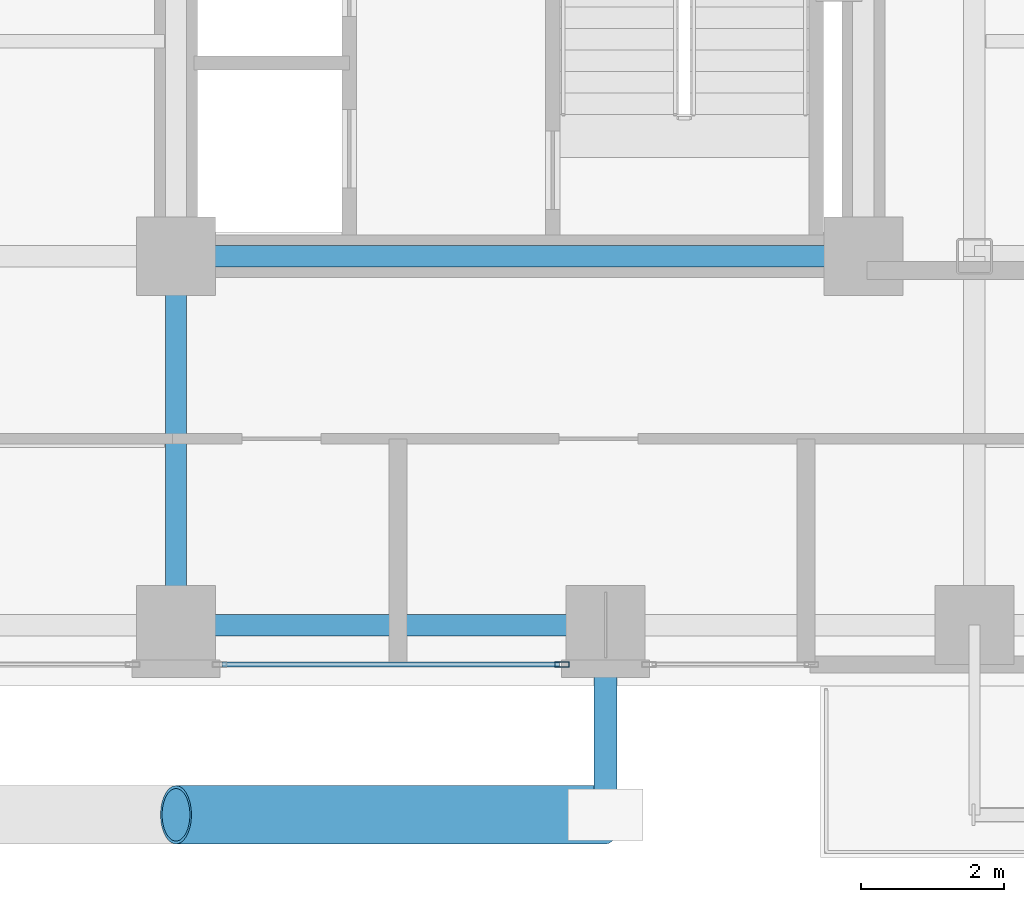
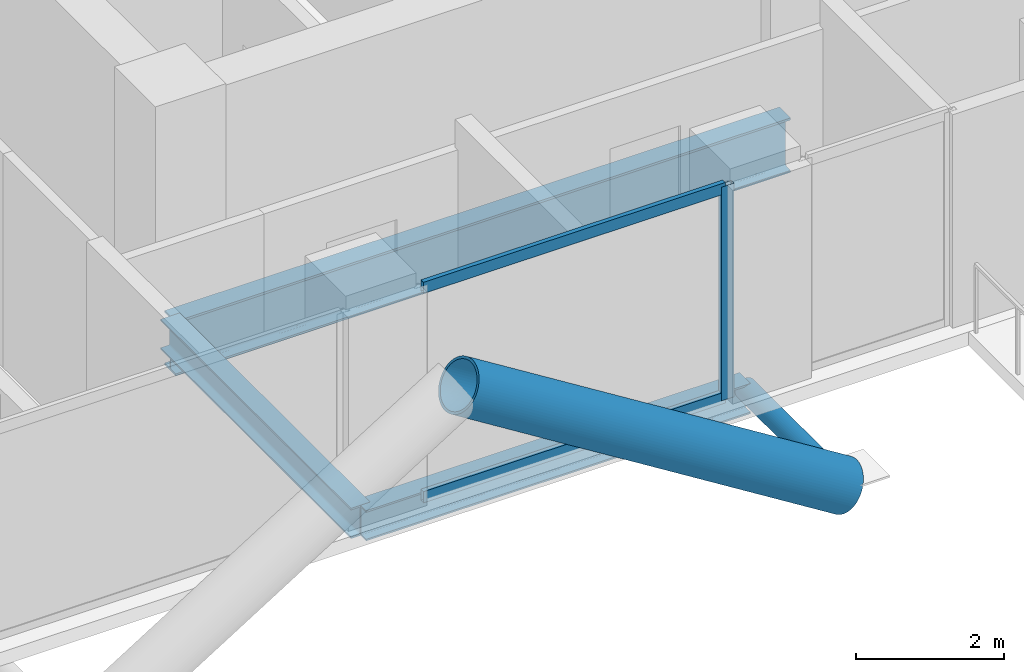
# One storey, part 5 of 28: 5 members, 3 beams, 1 element without a shape of its own.
"""IFC4 building model written with IfcOpenShell, lengths in metres."""

from ifc_helpers import new_model, si_unit, direction, frame, origin, origin_2d, place, context, subcontext, project, spatial, hollow_rectangle, hollow_circle, i_section, extrude, material, layer, layer_set, material_profile, profile_set, type_object, element, aggregate, save


model = new_model("IFC4")

# Units and contexts
model_context = context("Model", 3, precision=1e-05, world=origin(), true_north=direction((0.0, 1.0)))
body_context = subcontext(model_context, "Body", "Model", "MODEL_VIEW")
ifc_project = project(units=[si_unit("LENGTHUNIT", "METRE"), si_unit("AREAUNIT", "SQUARE_METRE"), si_unit("VOLUMEUNIT", "CUBIC_METRE"), si_unit("PLANEANGLEUNIT", "RADIAN"), si_unit("MASSUNIT", "GRAM", prefix="KILO"), si_unit("THERMODYNAMICTEMPERATUREUNIT", "KELVIN"), si_unit("POWERUNIT", "WATT")], contexts=[model_context])

# Site, building, storey
site_placement = place(None, origin())
site = spatial("IfcSite", under=ifc_project, at=site_placement, CompositionType="ELEMENT")
building_placement = place(site_placement, origin())
building = spatial("IfcBuilding", under=site, at=building_placement, Name="Svarakhadi Broadcast Tower", CompositionType="ELEMENT")
storey_placement = place(building_placement, frame((0.0, 0.0, 134.39990234375)))
storey = spatial("IfcBuildingStorey", under=building, at=storey_placement, Name="L32", CompositionType="ELEMENT", Elevation=134.39990234375)

# Curtain wall, members
ifc_material_1 = material(Name="Anodised Bronze Aluminium AA 6063-T6", Category="aluminium")
ifc_layer = layer(ifc_material_1, 0.199951171875)
ifc_layer_set = layer_set([ifc_layer], Name="Anodised Bronze Aluminium AA 6063-T6")
curtain_wall_type = type_object("IfcCurtainWallType", Name="CW_Sys_03", PredefinedType="NOTDEFINED", material=ifc_layer_set)
curtain_wall_placement = place(storey_placement, origin())
curtain_wall = element("IfcCurtainWall", 1, at=curtain_wall_placement, inside=storey, type_object=curtain_wall_type, Name="L32 South Curtain Wall 17 Bay 2", PredefinedType="NOTDEFINED")
ifc_material_profile_1 = material_profile(ifc_material_1, hollow_rectangle(XDim=0.074951171875, YDim=0.199951171875, WallThickness=0.005615234375, at=origin_2d()), Name="ALU MULLION 200x75x6")
ifc_profile_set_1 = profile_set([ifc_material_profile_1], Name="Anodised Bronze Aluminium AA 6063-T6")
member_type_1 = type_object("IfcMemberType", Name="CW_Sys_03_Mul", PredefinedType="MULLION", material=ifc_profile_set_1)
member_1_placement = place(storey_placement, frame((29.392578125, 0.300048828125, 0.0), z_axis=(0.0, 0.0, 1.0), x_axis=(0.0, -1.0, 0.0)))
member_1 = element("IfcMember", 2, at=member_1_placement, type_object=member_type_1, Name="CW-03 mullion 1", PredefinedType="MULLION", context=body_context, shape_type="SweptSolid", body=[
    extrude(hollow_rectangle(XDim=0.074951171875, YDim=0.199951171875, WallThickness=0.005615234375, at=origin_2d()), origin(), (0.0, 0.0, 1.0), 3.525146484375),
])
ifc_material_profile_2 = material_profile(ifc_material_1, hollow_rectangle(XDim=0.070068359375, YDim=0.18505859375, WallThickness=0.0048828125, at=origin_2d()), Name="ALU TRANSOM 185x70x5")
ifc_profile_set_2 = profile_set([ifc_material_profile_2], Name="Anodised Bronze Aluminium AA 6063-T6")
member_type_2 = type_object("IfcMemberType", Name="CW_Sys_03_Trn", PredefinedType="USERDEFINED", material=ifc_profile_set_2)
member_2_placement = place(storey_placement, frame((29.35498046875, 0.300048828125, 0.03515625), z_axis=(-1.0, 0.0, 0.0), x_axis=(0.0, -1.0, 0.0)))
member_2 = element("IfcMember", 3, at=member_2_placement, type_object=member_type_2, Name="CW-03 transom 1.1", ObjectType="TRANSOM", PredefinedType="USERDEFINED", context=body_context, shape_type="SweptSolid", body=[
    extrude(hollow_rectangle(XDim=0.070068359375, YDim=0.18505859375, WallThickness=0.0048828125, at=origin_2d()), origin(), (0.0, 0.0, 1.0), 4.7099609375),
])
member_3_placement = place(storey_placement, frame((29.35498046875, 0.300048828125, 3.489990234375), z_axis=(-1.0, 0.0, 0.0), x_axis=(0.0, -1.0, 0.0)))
member_3 = element("IfcMember", 4, at=member_3_placement, type_object=member_type_2, Name="CW-03 transom 1.2", ObjectType="TRANSOM", PredefinedType="USERDEFINED", context=body_context, shape_type="SweptSolid", body=[
    extrude(hollow_rectangle(XDim=0.070068359375, YDim=0.18505859375, WallThickness=0.0048828125, at=origin_2d()), origin(), (0.0, 0.0, 1.0), 4.7099609375),
])
aggregate(curtain_wall, [member_1, member_2, member_3])

# Members
ifc_material_2 = material(Name="Steel S460ML (IS 2062 E450BR)", Category="steel")
ifc_material_profile_3 = material_profile(ifc_material_2, hollow_circle(Radius=0.406494140625, WallThickness=0.0400390625, at=origin_2d()), Name="CHS 813x40")
ifc_profile_set_3 = profile_set([ifc_material_profile_3], Name="Steel S460ML (IS 2062 E450BR)")
member_type_3 = type_object("IfcMemberType", Name="Exo_Brace_CHS813", PredefinedType="BRACE", material=ifc_profile_set_3)
member_4_placement = place(storey_placement, frame((30.0, -1.800048828125, -0.386962890625), z_axis=(-0.847998304005, 0.0, 0.529998940003), x_axis=(0.0, -1.0, 0.0)))
element("IfcMember", 5, at=member_4_placement, inside=storey, type_object=member_type_3, Name="L32 Exposed Bronze Exoskeleton Diagonal S04", PredefinedType="BRACE", context=body_context, shape_type="SweptSolid", body=[
    extrude(hollow_circle(Radius=0.406494140625, WallThickness=0.0400390625, at=origin_2d()), origin(), (0.0, 0.0, 1.0), 7.075439453125),
])
ifc_material_profile_4 = material_profile(ifc_material_2, hollow_circle(Radius=0.161865234375, WallThickness=0.01611328125, at=origin_2d()), Name="CHS 323.9x16")
ifc_profile_set_4 = profile_set([ifc_material_profile_4], Name="Steel S460ML (IS 2062 E450BR)")
member_type_4 = type_object("IfcMemberType", Name="Exo_Radial_Strut_Z2", PredefinedType="STRUT", material=ifc_profile_set_4)
member_5_placement = place(storey_placement, frame((30.0, -1.800048828125, -0.386962890625), z_axis=(0.0, 1.0, 0.0), x_axis=(-1.0, 0.0, 0.0)))
element("IfcMember", 6, at=member_5_placement, inside=storey, type_object=member_type_4, Name="L32 Exoskeleton Radial Tie Strut S03", PredefinedType="STRUT", context=body_context, shape_type="SweptSolid", body=[
    extrude(hollow_circle(Radius=0.161865234375, WallThickness=0.01611328125, at=origin_2d()), origin(), (0.0, 0.0, 1.0), 2.650146484375),
])

# Beams
ifc_material_3 = material(Name="Steel S355J2 (IS 2062 E350C)", Category="steel")
ifc_material_profile_5 = material_profile(ifc_material_3, i_section(OverallWidth=0.300048828125, OverallDepth=0.5, WebThickness=0.014404296875, FlangeThickness=0.028076171875, FilletRadius=0.027099609375, at=origin_2d()), Name="WPB 500x300x187")
ifc_profile_set_5 = profile_set([ifc_material_profile_5], Name="Steel S355J2 (IS 2062 E350C)")
beam_type_1 = type_object("IfcBeamType", Name="Girder_WPB500", PredefinedType="USERDEFINED", material=ifc_profile_set_5)
beam_1_placement = place(storey_placement, frame((24.0, 0.85009765625, -0.474853515625), z_axis=(1.0, 0.0, 0.0), x_axis=(0.0, 1.0, 0.0)))
element("IfcBeam", 7, at=beam_1_placement, inside=storey, type_object=beam_type_1, Name="L32 Primary E-W Girder G007", ObjectType="GIRDER", PredefinedType="USERDEFINED", context=body_context, shape_type="SweptSolid", body=[
    extrude(i_section(OverallWidth=0.300048828125, OverallDepth=0.5, WebThickness=0.014404296875, FlangeThickness=0.028076171875, FilletRadius=0.027099609375, at=origin_2d()), origin(), (0.0, 0.0, 1.0), 6.0),
])
beam_2_placement = place(storey_placement, frame((24.0, 0.85009765625, -0.474853515625), z_axis=(0.0, 1.0, 0.0), x_axis=(-1.0, 0.0, 0.0)))
element("IfcBeam", 8, at=beam_2_placement, inside=storey, type_object=beam_type_1, Name="L32 Primary N-S Girder G062", ObjectType="GIRDER", PredefinedType="USERDEFINED", context=body_context, shape_type="SweptSolid", body=[
    extrude(i_section(OverallWidth=0.300048828125, OverallDepth=0.5, WebThickness=0.014404296875, FlangeThickness=0.028076171875, FilletRadius=0.027099609375, at=origin_2d()), origin(), (0.0, 0.0, 1.0), 5.14990234375),
])
ifc_material_profile_6 = material_profile(ifc_material_2, i_section(OverallWidth=0.300048828125, OverallDepth=0.89990234375, WebThickness=0.0185546875, FlangeThickness=0.034912109375, FilletRadius=0.030029296875, at=origin_2d()), Name="WPB 900x300x291")
ifc_profile_set_6 = profile_set([ifc_material_profile_6], Name="Steel S460ML (IS 2062 E450BR)")
beam_type_2 = type_object("IfcBeamType", Name="Girder_WPB900", PredefinedType="USERDEFINED", material=ifc_profile_set_6)
beam_3_placement = place(storey_placement, frame((24.0, 6.0, -0.6748046875), z_axis=(1.0, 0.0, 0.0), x_axis=(0.0, 1.0, 0.0)))
element("IfcBeam", 9, at=beam_3_placement, inside=storey, type_object=beam_type_2, Name="L32 Primary E-W Girder G014", ObjectType="GIRDER", PredefinedType="USERDEFINED", context=body_context, shape_type="SweptSolid", body=[
    extrude(i_section(OverallWidth=0.300048828125, OverallDepth=0.89990234375, WebThickness=0.0185546875, FlangeThickness=0.034912109375, FilletRadius=0.030029296875, at=origin_2d()), origin(), (0.0, 0.0, 1.0), 9.60009765625),
])

save(model, "model.ifc")
